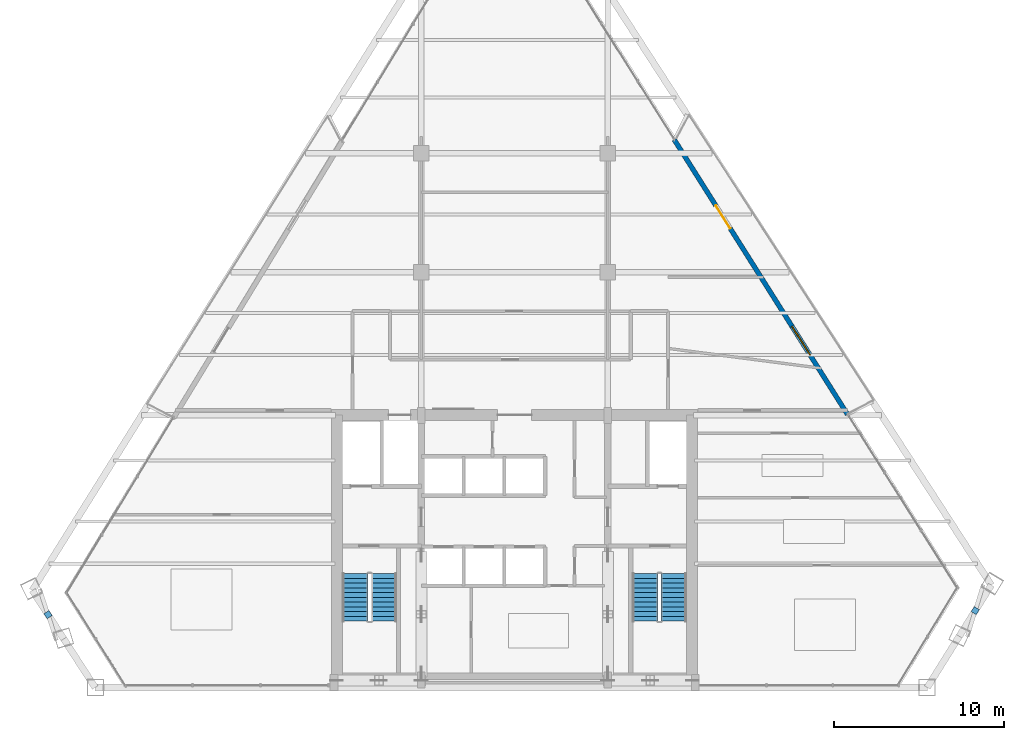
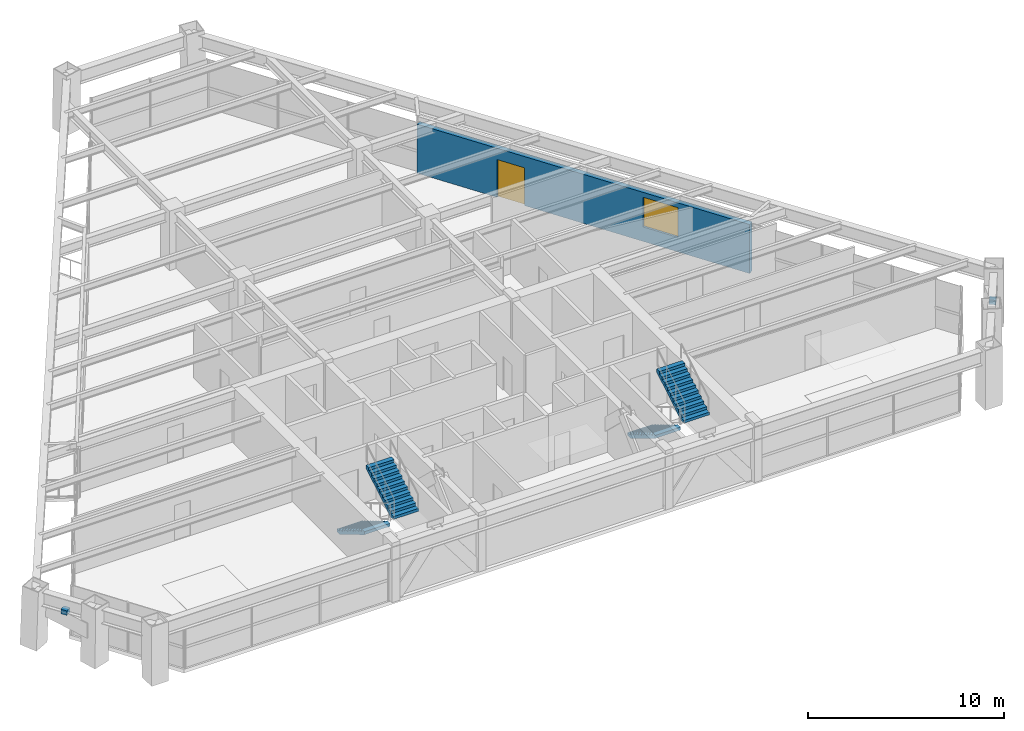
# One storey, part 11 of 13: 4 stair flights, 2 discrete accessories, 1 door, 1 wall, 1 window, 2 openings, 2 elements without a shape of their own.
"""IFC4 building model written with IfcOpenShell, lengths in metres."""

from ifc_helpers import new_model, si_unit, direction, frame, frame_2d, origin, origin_2d, place, context, subcontext, project, spatial, polyline, rectangle, outline, extrude, source, transform, mapped, material, layer, layer_set, type_object, type_shapes, element, fill, aggregate, save


model = new_model("IFC4")

# Units and contexts
model_context = context("Model", 3, precision=1e-05, world=origin(), true_north=direction((0.0, 1.0)))
body_context = subcontext(model_context, "Body", "Model", "MODEL_VIEW")
ifc_project = project(units=[si_unit("LENGTHUNIT", "METRE"), si_unit("AREAUNIT", "SQUARE_METRE"), si_unit("VOLUMEUNIT", "CUBIC_METRE"), si_unit("PLANEANGLEUNIT", "RADIAN"), si_unit("MASSUNIT", "GRAM", prefix="KILO")], contexts=[model_context])

# Site, building, storey
site_placement = place(None, origin())
site = spatial("IfcSite", under=ifc_project, at=site_placement, CompositionType="ELEMENT")
building_placement = place(site_placement, origin())
building = spatial("IfcBuilding", under=site, at=building_placement, Name="Varnakhor Terracotta Tower", CompositionType="ELEMENT")
storey_placement = place(building_placement, frame((0.0, 0.0, 204.300048828125)))
storey = spatial("IfcBuildingStorey", under=building, at=storey_placement, Name="L52", CompositionType="ELEMENT", Elevation=204.300048828125)

# Wall, openings, door, window
ifc_material_1 = material(Name="Extruded Architectural Terracotta Assembly", Category="masonry")
ifc_layer = layer(ifc_material_1, 0.280029296875, Name="Extruded Architectural Terracotta Assembly")
ifc_layer_set = layer_set([ifc_layer], Name="Extruded Architectural Terracotta Assembly")
wall_type = type_object("IfcWallType", Name="WAL-EXT-TERRACOTTA-280", PredefinedType="SOLIDWALL", material=ifc_layer_set)
wall_placement = place(storey_placement, frame((9.41650390625, 32.31396484375, 0.0), z_axis=(0.0, 0.0, 1.0), x_axis=(0.533466142651, -0.845821420067, 0.0)))
wall = element("IfcWall", 1, at=wall_placement, inside=storey, type_object=wall_type, Name="L52 E Loggia Insulated Terracotta Wall", PredefinedType="SOLIDWALL", context=body_context, shape_type="SweptSolid", body=[
    extrude(rectangle(XDim=19.147216796875, YDim=0.280029296875, at=frame_2d((9.57373046875, 0.0))), origin(), (0.0, 0.0, 1.0), 3.050048828125),
])
opening_1_placement = place(wall_placement, frame((4.59521484375, 0.0, 0.0)))
opening_1 = element("IfcOpeningElement", 2, at=opening_1_placement, cuts=wall, Name="Opening DR-62", PredefinedType="OPENING", context=body_context, shape_type="SweptSolid", body=[
    extrude(rectangle(XDim=1.60009765625, YDim=2.35009765625, at=frame_2d((0.800048828125, 1.175048828125))), frame((0.0, 0.14990234375, 0.0), z_axis=(0.0, -1.0, 0.0), x_axis=(1.0, 0.0, 0.0)), (0.0, 0.0, 1.0), 0.300048828125),
])
opening_2_placement = place(wall_placement, frame((13.02001953125, 0.0, 0.89990234375)))
opening_2 = element("IfcOpeningElement", 3, at=opening_2_placement, cuts=wall, Name="Opening WN-26", PredefinedType="OPENING", context=body_context, shape_type="SweptSolid", body=[
    extrude(rectangle(XDim=2.0, YDim=1.85009765625, at=frame_2d((1.0, 0.925048828125))), frame((0.0, 0.14990234375, 0.0), z_axis=(0.0, -1.0, 0.0), x_axis=(1.0, 0.0, 0.0)), (0.0, 0.0, 1.0), 0.300048828125),
])
ifc_material_2 = material(Name="Thermally Broken Sliding Glass Loggia Door", Category="glass")
door_type = type_object("IfcDoorType", Name="DR-EXT-LOGGIA-1600X2350", OperationType="NOTDEFINED", PredefinedType="DOOR", material=ifc_material_2)
shared_shape_1 = source(origin(), body_context, "Body", "SweptSolid", [
    extrude(rectangle(XDim=1.60009765625, YDim=2.35009765625, at=frame_2d((0.800048828125, 1.175048828125))), frame((0.0, 0.02490234375, 0.0), z_axis=(0.0, -1.0, 0.0), x_axis=(1.0, 0.0, 0.0)), (0.0, 0.0, 1.0), 0.050048828125),
])
type_shapes(door_type, [shared_shape_1])
door_placement = place(opening_1_placement, origin())
door = element("IfcDoor", 4, at=door_placement, inside=storey, type_object=door_type, Name="L52 E Recessed Loggia Sliding Door", OperationType="SLIDING_TO_RIGHT", OverallHeight=2.35009765625, OverallWidth=1.60009765625, PredefinedType="DOOR", context=body_context, shape_type="MappedRepresentation", body=[
    mapped(shared_shape_1, transform((0.0, 0.0, 0.0), scale=1.0)),
])
fill(opening_1, door)
ifc_material_3 = material(Name="Solar-Control Low-E Insulated Glass Unit", Category="glass")
window_type = type_object("IfcWindowType", Name="WIN-OFF-2200X2100", PartitioningType="SINGLE_PANEL", PredefinedType="WINDOW", material=ifc_material_3)
shared_shape_2 = source(origin(), body_context, "Body", "SweptSolid", [
    extrude(rectangle(XDim=2.0, YDim=1.85009765625, at=frame_2d((1.0, 0.925048828125))), frame((0.0, 0.030029296875, 0.0), z_axis=(0.0, -1.0, 0.0), x_axis=(1.0, 0.0, 0.0)), (0.0, 0.0, 1.0), 0.06005859375),
])
type_shapes(window_type, [shared_shape_2])
window_placement = place(opening_2_placement, origin())
window = element("IfcWindow", 5, at=window_placement, inside=storey, type_object=window_type, Name="L52 E Facet Punched Window", OverallHeight=1.85009765625, OverallWidth=2.0, PartitioningType="SINGLE_PANEL", PredefinedType="WINDOW", context=body_context, shape_type="MappedRepresentation", body=[
    mapped(shared_shape_2, transform((0.0, 0.0, 0.0), scale=1.0)),
])
fill(opening_2, window)

# Stair, stair flights
ifc_material_4 = material(Name="Concrete C40/50", Category="concrete")
stair_type = type_object("IfcStairType", Name="STR-CORE-OFFICE-1500", PredefinedType="HALF_TURN_STAIR", material=ifc_material_4)
stair_1_placement = place(storey_placement, origin())
stair_1 = element("IfcStair", 6, at=stair_1_placement, inside=storey, type_object=stair_type, Name="L52 Core Exit Stair ST-1", PredefinedType="HALF_TURN_STAIR")
stair_flight_type = type_object("IfcStairFlightType", Name="FLT-CORE-1500", PredefinedType="STRAIGHT", material=ifc_material_4)
stair_flight_1_placement = place(storey_placement, frame((-9.39990234375, 6.7099609375, 0.0), z_axis=(0.0, 0.0, 1.0), x_axis=(0.0, -1.0, 0.0)))
stair_flight_1 = element("IfcStairFlight", 7, at=stair_flight_1_placement, type_object=stair_flight_type, Name="ST-1 flight 1", NumberOfRisers=11, NumberOfTreads=10, PredefinedType="STRAIGHT", RiserHeight=0.168181818, TreadLength=0.28, context=body_context, shape_type="SweptSolid", body=[
    extrude(outline(polyline([(0.0, 0.0), (0.0, 0.168212890625), (0.280029296875, 0.168212890625), (0.280029296875, 0.33642578125), (0.56005859375, 0.33642578125), (0.56005859375, 0.504638671875), (0.840087890625, 0.504638671875), (0.840087890625, 0.672607421875), (1.1201171875, 0.672607421875), (1.1201171875, 0.8408203125), (1.39990234375, 0.8408203125), (1.39990234375, 1.009033203125), (1.679931640625, 1.009033203125), (1.679931640625, 1.17724609375), (1.9599609375, 1.17724609375), (1.9599609375, 1.345458984375), (2.239990234375, 1.345458984375), (2.239990234375, 1.513671875), (2.52001953125, 1.513671875), (2.52001953125, 1.681884765625), (2.800048828125, 1.681884765625), (2.800048828125, 1.85009765625), (2.800048828125, 1.495361328125), (0.310546875, 0.0), (0.0, 0.0)])), frame((0.0, 0.75, 0.0), z_axis=(0.0, -1.0, 0.0), x_axis=(1.0, 0.0, 0.0)), (0.0, 0.0, 1.0), 1.5),
])
stair_flight_2_placement = place(storey_placement, frame((-7.699951171875, 3.909912109375, 1.849853515625), z_axis=(0.0, 0.0, 1.0), x_axis=(0.0, 1.0, 0.0)))
stair_flight_2 = element("IfcStairFlight", 8, at=stair_flight_2_placement, type_object=stair_flight_type, Name="ST-1 flight 2", NumberOfRisers=11, NumberOfTreads=10, PredefinedType="STRAIGHT", RiserHeight=0.168181818, TreadLength=0.28, context=body_context, shape_type="SweptSolid", body=[
    extrude(outline(polyline([(0.0, 0.0), (0.0, 0.168212890625), (0.280029296875, 0.168212890625), (0.280029296875, 0.33642578125), (0.56005859375, 0.33642578125), (0.56005859375, 0.504638671875), (0.840087890625, 0.504638671875), (0.840087890625, 0.672607421875), (1.1201171875, 0.672607421875), (1.1201171875, 0.8408203125), (1.39990234375, 0.8408203125), (1.39990234375, 1.009033203125), (1.679931640625, 1.009033203125), (1.679931640625, 1.17724609375), (1.9599609375, 1.17724609375), (1.9599609375, 1.345458984375), (2.239990234375, 1.345458984375), (2.239990234375, 1.513671875), (2.52001953125, 1.513671875), (2.52001953125, 1.681884765625), (2.800048828125, 1.681884765625), (2.800048828125, 1.85009765625), (2.800048828125, 1.495361328125), (0.310546875, 0.0), (0.0, 0.0)])), frame((0.0, 0.75, 0.0), z_axis=(0.0, -1.0, 0.0), x_axis=(1.0, 0.0, 0.0)), (0.0, 0.0, 1.0), 1.5),
])
aggregate(stair_1, [stair_flight_1, stair_flight_2])

stair_2_placement = place(storey_placement, origin())
stair_2 = element("IfcStair", 9, at=stair_2_placement, inside=storey, type_object=stair_type, Name="L52 Core Exit Stair ST-2", PredefinedType="HALF_TURN_STAIR")
stair_flight_3_placement = place(storey_placement, frame((7.699951171875, 6.7099609375, 0.0), z_axis=(0.0, 0.0, 1.0), x_axis=(0.0, -1.0, 0.0)))
stair_flight_3 = element("IfcStairFlight", 10, at=stair_flight_3_placement, type_object=stair_flight_type, Name="ST-2 flight 1", NumberOfRisers=11, NumberOfTreads=10, PredefinedType="STRAIGHT", RiserHeight=0.168181818, TreadLength=0.28, context=body_context, shape_type="SweptSolid", body=[
    extrude(outline(polyline([(0.0, 0.0), (0.0, 0.168212890625), (0.280029296875, 0.168212890625), (0.280029296875, 0.33642578125), (0.56005859375, 0.33642578125), (0.56005859375, 0.504638671875), (0.840087890625, 0.504638671875), (0.840087890625, 0.672607421875), (1.1201171875, 0.672607421875), (1.1201171875, 0.8408203125), (1.39990234375, 0.8408203125), (1.39990234375, 1.009033203125), (1.679931640625, 1.009033203125), (1.679931640625, 1.17724609375), (1.9599609375, 1.17724609375), (1.9599609375, 1.345458984375), (2.239990234375, 1.345458984375), (2.239990234375, 1.513671875), (2.52001953125, 1.513671875), (2.52001953125, 1.681884765625), (2.800048828125, 1.681884765625), (2.800048828125, 1.85009765625), (2.800048828125, 1.495361328125), (0.310546875, 0.0), (0.0, 0.0)])), frame((0.0, 0.75, 0.0), z_axis=(0.0, -1.0, 0.0), x_axis=(1.0, 0.0, 0.0)), (0.0, 0.0, 1.0), 1.5),
])
stair_flight_4_placement = place(storey_placement, frame((9.39990234375, 3.909912109375, 1.849853515625), z_axis=(0.0, 0.0, 1.0), x_axis=(0.0, 1.0, 0.0)))
stair_flight_4 = element("IfcStairFlight", 11, at=stair_flight_4_placement, type_object=stair_flight_type, Name="ST-2 flight 2", NumberOfRisers=11, NumberOfTreads=10, PredefinedType="STRAIGHT", RiserHeight=0.168181818, TreadLength=0.28, context=body_context, shape_type="SweptSolid", body=[
    extrude(outline(polyline([(0.0, 0.0), (0.0, 0.168212890625), (0.280029296875, 0.168212890625), (0.280029296875, 0.33642578125), (0.56005859375, 0.33642578125), (0.56005859375, 0.504638671875), (0.840087890625, 0.504638671875), (0.840087890625, 0.672607421875), (1.1201171875, 0.672607421875), (1.1201171875, 0.8408203125), (1.39990234375, 0.8408203125), (1.39990234375, 1.009033203125), (1.679931640625, 1.009033203125), (1.679931640625, 1.17724609375), (1.9599609375, 1.17724609375), (1.9599609375, 1.345458984375), (2.239990234375, 1.345458984375), (2.239990234375, 1.513671875), (2.52001953125, 1.513671875), (2.52001953125, 1.681884765625), (2.800048828125, 1.681884765625), (2.800048828125, 1.85009765625), (2.800048828125, 1.495361328125), (0.310546875, 0.0), (0.0, 0.0)])), frame((0.0, 0.75, 0.0), z_axis=(0.0, -1.0, 0.0), x_axis=(1.0, 0.0, 0.0)), (0.0, 0.0, 1.0), 1.5),
])
aggregate(stair_2, [stair_flight_3, stair_flight_4])

# Discrete accessories
ifc_material_5 = material(Name="Stainless Steel Fixing Bracket", Category="steel")
discrete_accessory_type = type_object("IfcDiscreteAccessoryType", Name="BRACKET-TERRACOTTA-SCREEN", PredefinedType="BRACKET", material=ifc_material_5)
shared_shape_3 = source(origin(), body_context, "Body", "SweptSolid", [
    extrude(rectangle(XDim=0.35009765625, YDim=0.35009765625, at=origin_2d()), origin(), (0.0, 0.0, 1.0), 0.280029296875),
])
type_shapes(discrete_accessory_type, [shared_shape_3])
for number, where, z_axis, x_axis, name in (
    (12, (27.172607421875, 4.531494140625, 2.48486328125), (0.0, 0.0, 1.0), (0.529889661447, 0.848066593312, 0.0), "L52 E Screen Fixing Bracket"),
    (13, (-27.517822265625, 4.296875, 2.48486328125), (0.0, 0.0, 1.0), (0.543027900367, -0.839714653571, 0.0), "L52 W Screen Fixing Bracket"),
):
    element("IfcDiscreteAccessory", number, at=place(storey_placement, frame(where, z_axis=z_axis, x_axis=x_axis)), inside=storey, type_object=discrete_accessory_type, Name=name, PredefinedType="BRACKET", context=body_context, shape_type="MappedRepresentation", body=[
        mapped(shared_shape_3, transform((0.0, 0.0, 0.0), scale=1.0)),
    ])

save(model, "model.ifc")
